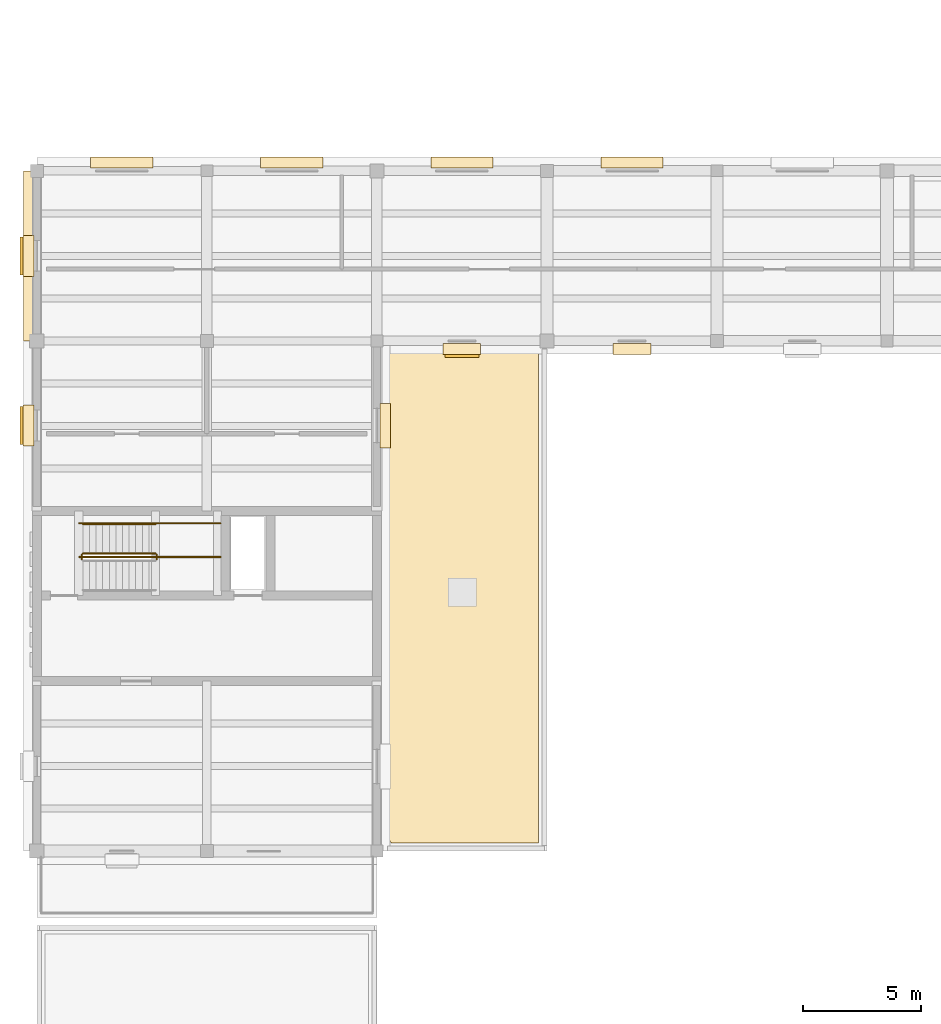
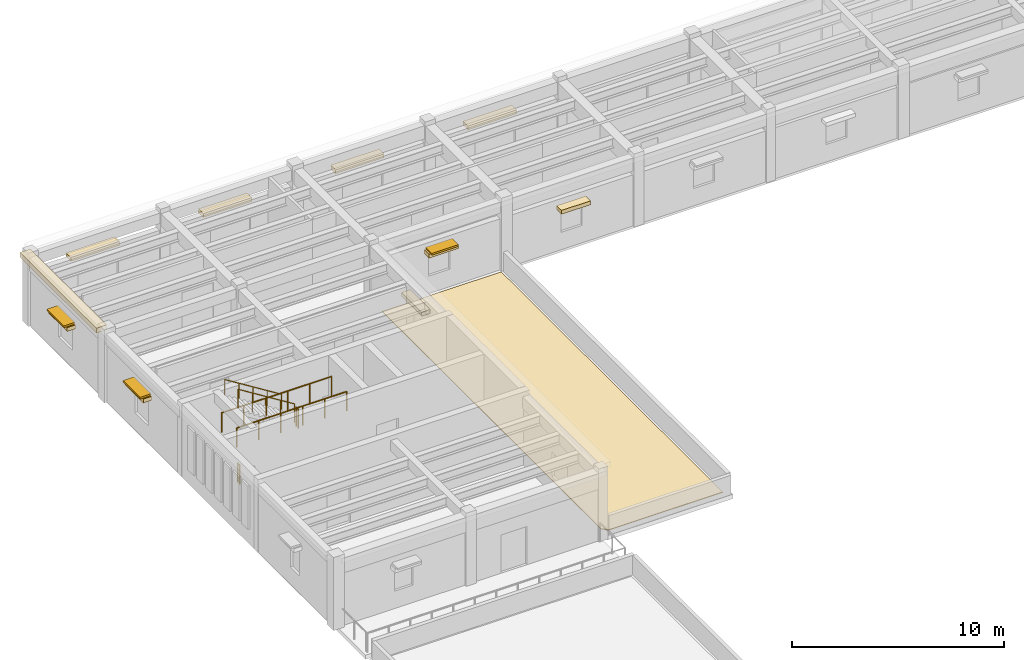
# One storey, part 24 of 27: 11 coverings, 6 railings, 3 shading devices.
"""IFC4 building model written with IfcOpenShell, lengths in metres."""

from ifc_helpers import new_model, si_unit, direction, frame, origin, origin_2d, place, context, subcontext, project, spatial, polyline, rectangle, circle, outline, extrude, material, layer, layer_set, type_object, element, save


model = new_model("IFC4")

# Units and contexts
model_context = context("Model", 3, precision=1e-05, world=origin(), true_north=direction((0.0, 1.0)))
body_context = subcontext(model_context, "Body", "Model", "MODEL_VIEW")
ifc_project = project(units=[si_unit("LENGTHUNIT", "METRE"), si_unit("AREAUNIT", "SQUARE_METRE"), si_unit("VOLUMEUNIT", "CUBIC_METRE"), si_unit("PLANEANGLEUNIT", "RADIAN"), si_unit("MASSUNIT", "GRAM", prefix="KILO")], contexts=[model_context])

# Site, building, storey
site_placement = place(None, origin())
site = spatial("IfcSite", under=ifc_project, at=site_placement, CompositionType="ELEMENT")
building_placement = place(site_placement, origin())
building = spatial("IfcBuilding", under=site, at=building_placement, Name="Mithqara Police Headquarters", CompositionType="ELEMENT")
storey_placement = place(building_placement, frame((0.0, 0.0, 18.0)))
storey = spatial("IfcBuildingStorey", under=building, at=storey_placement, Name="L04", CompositionType="ELEMENT", Elevation=18.0)

# Covering
ifc_material_1 = material(Name="Limestone ashlar masonry, 45 MPa", Category="masonry")
ifc_layer_1 = layer(ifc_material_1, 0.320068359375, Name="Limestone ashlar masonry, 45 MPa")
ifc_layer_set_1 = layer_set([ifc_layer_1], Name="Limestone ashlar masonry, 45 MPa")
covering_type_1 = type_object("IfcCoveringType", Name="CORNICE LIMESTONE", PredefinedType="CLADDING", material=ifc_layer_set_1)
covering_1_placement = place(storey_placement, frame((7.52001953125, 82.199951171875, 3.919921875), z_axis=(0.0, 0.0, 1.0), x_axis=(0.0, 1.0, 0.0)))
element("IfcCovering", 1, at=covering_1_placement, inside=storey, type_object=covering_type_1, Name="L04 Projecting Ottoman Limestone Eaves Cornice 9", PredefinedType="CLADDING", context=body_context, shape_type="SweptSolid", body=[
    extrude(rectangle(XDim=7.199951171875, YDim=0.56005859375, at=origin_2d()), origin(), (0.0, 0.0, 1.0), 0.280029296875),
])

# Railing
ifc_material_2 = material(Name="Steel S355JR", Category="steel")
railing_type_1 = type_object("IfcRailingType", Name="HANDRAIL 920", PredefinedType="HANDRAIL", material=ifc_material_2)
railing_1_placement = place(storey_placement, frame((12.830078125, 70.85009765625, 2.27490234375)))
element("IfcRailing", 2, at=railing_1_placement, inside=storey, type_object=railing_type_1, Name="L04 ST-03 stair handrail 2", PredefinedType="HANDRAIL", context=body_context, shape_type="SweptSolid", body=[
    extrude(circle(Radius=0.02392578125, at=origin_2d()), frame((0.0, 0.0, 0.8759765625), z_axis=(-0.847998304005, 0.0, 0.529998940003), x_axis=(0.0, -1.0, 0.0)), (0.0, 0.0, 1.0), 3.632080078125),
    extrude(circle(Radius=0.02099609375, at=origin_2d()), origin(), (0.0, 0.0, 1.0), 0.851806640625),
    extrude(circle(Radius=0.02099609375, at=origin_2d()), frame((-0.77001953125, 0.0, 0.481201171875)), (0.0, 0.0, 1.0), 0.851806640625),
    extrude(circle(Radius=0.02099609375, at=origin_2d()), frame((-1.5400390625, 0.0, 0.96240234375)), (0.0, 0.0, 1.0), 0.851806640625),
    extrude(circle(Radius=0.02099609375, at=origin_2d()), frame((-2.31005859375, 0.0, 1.44384765625)), (0.0, 0.0, 1.0), 0.851806640625),
    extrude(circle(Radius=0.02099609375, at=origin_2d()), frame((-3.080078125, 0.0, 1.925048828125)), (0.0, 0.0, 1.0), 0.851806640625),
])

# Shading devices
ifc_material_3 = material(Name="Bronze anodised aluminium 6063-T6", Category="aluminium")
shading_device_type = type_object("IfcShadingDeviceType", Name="SOLAR LOUVRE BRONZE", PredefinedType="JALOUSIE", material=ifc_material_3)
for number, where, z_axis, x_axis, name in (
    (3, (7.389892578125, 82.199951171875, 2.58984375), (0.0, 0.0, 1.0), (0.0, 1.0, 0.0), "L04 Window Solar Louvre Hood 9.1"),
    (4, (7.389892578125, 75.014892578125, 2.83984375), (0.0, 0.0, 1.0), (0.0, 1.0, 0.0), "L04 Window Solar Louvre Hood 10.1"),
):
    element("IfcShadingDevice", number, at=place(storey_placement, frame(where, z_axis=z_axis, x_axis=x_axis)), inside=storey, type_object=shading_device_type, Name=name, PredefinedType="JALOUSIE", context=body_context, shape_type="SweptSolid", body=[
        extrude(rectangle(XDim=1.60009765625, YDim=0.60009765625, at=origin_2d()), origin(), (0.0, 0.0, 1.0), 0.10009765625),
    ])
shading_device_placement = place(storey_placement, frame((25.800048828125, 78.18994140625, 2.58984375), z_axis=(0.0, 0.0, 1.0), x_axis=(1.0, 0.0, 0.0)))
element("IfcShadingDevice", 5, at=shading_device_placement, inside=storey, type_object=shading_device_type, Name="L04 Window Solar Louvre Hood 13.1", PredefinedType="JALOUSIE", context=body_context, shape_type="SweptSolid", body=[
    extrude(rectangle(XDim=1.449951171875, YDim=0.60009765625, at=origin_2d()), origin(), (0.0, 0.0, 1.0), 0.10009765625),
])

# Railings
railing_type_2 = type_object("IfcRailingType", Name="STAIR GUARD 1120", PredefinedType="GUARDRAIL", material=ifc_material_2)
railing_2_placement = place(storey_placement, frame((12.8798828125, 69.35009765625, 2.10009765625)))
element("IfcRailing", 6, at=railing_2_placement, inside=storey, type_object=railing_type_2, Name="L04 ST-03 stair guard 2", PredefinedType="GUARDRAIL", context=body_context, shape_type="SweptSolid", body=[
    extrude(circle(Radius=0.02392578125, at=origin_2d()), frame((0.0, 0.0, 1.076171875), z_axis=(0.0, 1.0, 0.0), x_axis=(-1.0, 0.0, 0.0)), (0.0, 0.0, 1.0), 0.199951171875),
    extrude(circle(Radius=0.02099609375, at=origin_2d()), origin(), (0.0, 0.0, 1.0), 1.052001953125),
    extrude(circle(Radius=0.02099609375, at=origin_2d()), frame((0.0, 0.199951171875, 0.0)), (0.0, 0.0, 1.0), 1.052001953125),
])
railing_3_placement = place(storey_placement, frame((12.830078125, 69.60009765625, 2.27490234375)))
element("IfcRailing", 7, at=railing_3_placement, inside=storey, type_object=railing_type_2, Name="L04 ST-03 stair guard 3", PredefinedType="GUARDRAIL", context=body_context, shape_type="SweptSolid", body=[
    extrude(circle(Radius=0.02392578125, at=origin_2d()), frame((0.0, 0.0, 1.076171875), z_axis=(-0.847998304005, 0.0, 0.529998940003), x_axis=(0.0, -1.0, 0.0)), (0.0, 0.0, 1.0), 3.632080078125),
    extrude(circle(Radius=0.02099609375, at=origin_2d()), origin(), (0.0, 0.0, 1.0), 1.052001953125),
    extrude(circle(Radius=0.02099609375, at=origin_2d()), frame((-0.77001953125, 0.0, 0.481201171875)), (0.0, 0.0, 1.0), 1.052001953125),
    extrude(circle(Radius=0.02099609375, at=origin_2d()), frame((-1.5400390625, 0.0, 0.96240234375)), (0.0, 0.0, 1.0), 1.052001953125),
    extrude(circle(Radius=0.02099609375, at=origin_2d()), frame((-2.31005859375, 0.0, 1.44384765625)), (0.0, 0.0, 1.0), 1.052001953125),
    extrude(circle(Radius=0.02099609375, at=origin_2d()), frame((-3.080078125, 0.0, 1.925048828125)), (0.0, 0.0, 1.0), 1.052001953125),
])
railing_4_placement = place(storey_placement, frame((9.699951171875, 69.35009765625, 0.0)))
element("IfcRailing", 8, at=railing_4_placement, inside=storey, type_object=railing_type_2, Name="L04 ST-03 stair guard 4", PredefinedType="GUARDRAIL", context=body_context, shape_type="SweptSolid", body=[
    extrude(circle(Radius=0.02392578125, at=origin_2d()), frame((0.0, 0.0, 1.076171875), z_axis=(0.0, 1.0, 0.0), x_axis=(-1.0, 0.0, 0.0)), (0.0, 0.0, 1.0), 0.199951171875),
    extrude(circle(Radius=0.02099609375, at=origin_2d()), origin(), (0.0, 0.0, 1.0), 1.052001953125),
    extrude(circle(Radius=0.02099609375, at=origin_2d()), frame((0.0, 0.199951171875, 0.0)), (0.0, 0.0, 1.0), 1.052001953125),
])
for number, where, name in (
    (9, (9.60009765625, 69.449951171875, 2.10009765625), "L04 ST-03 Half-Landing Guard IN"),
    (10, (9.60009765625, 70.8798828125, 2.10009765625), "L04 ST-03 Half-Landing Guard OUT"),
):
    element("IfcRailing", number, at=place(storey_placement, frame(where)), inside=storey, type_object=railing_type_2, Name=name, PredefinedType="GUARDRAIL", context=body_context, shape_type="SweptSolid", body=[
        extrude(circle(Radius=0.02392578125, at=origin_2d()), frame((0.0, 0.0, 1.09619140625), z_axis=(1.0, 0.0, 0.0), x_axis=(0.0, 1.0, 0.0)), (0.0, 0.0, 1.0), 5.97998046875),
        extrude(circle(Radius=0.02099609375, at=origin_2d()), origin(), (0.0, 0.0, 1.0), 1.072021484375),
        extrude(circle(Radius=0.02099609375, at=origin_2d()), frame((1.196044921875, 0.0, 0.0)), (0.0, 0.0, 1.0), 1.072021484375),
        extrude(circle(Radius=0.02099609375, at=origin_2d()), frame((2.39208984375, 0.0, 0.0)), (0.0, 0.0, 1.0), 1.072021484375),
        extrude(circle(Radius=0.02099609375, at=origin_2d()), frame((3.587890625, 0.0, 0.0)), (0.0, 0.0, 1.0), 1.072021484375),
        extrude(circle(Radius=0.02099609375, at=origin_2d()), frame((4.783935546875, 0.0, 0.0)), (0.0, 0.0, 1.0), 1.072021484375),
        extrude(circle(Radius=0.02099609375, at=origin_2d()), frame((5.97998046875, 0.0, 0.0)), (0.0, 0.0, 1.0), 1.072021484375),
    ])

# Coverings
ifc_material_4 = material(Name="Standing seam zinc-aluminium roofing", Category="aluminium")
ifc_layer_2 = layer(ifc_material_4, 0.0400390625, Name="Standing seam zinc-aluminium roofing")
ifc_layer_set_2 = layer_set([ifc_layer_2], Name="Standing seam zinc-aluminium roofing")
covering_type_2 = type_object("IfcCoveringType", Name="STANDING SEAM ROOFING", PredefinedType="ROOFING", material=ifc_layer_set_2)
covering_2_placement = place(storey_placement, origin())
element("IfcCovering", 11, at=covering_2_placement, inside=storey, type_object=covering_type_2, Name="L04 Insulated Roof Waterproofing ROOF-L03-02", PredefinedType="ROOFING", context=body_context, shape_type="SweptSolid", body=[
    extrude(outline(polyline([(22.570068359375, 57.59375), (22.570068359375, 78.22998046875), (29.050048828125, 78.22998046875), (29.050048828125, 57.35009765625), (22.805908203125, 57.35009765625), (22.791015625, 57.375), (22.7724609375, 57.40234375), (22.752197265625, 57.429931640625), (22.72998046875, 57.45703125), (22.706787109375, 57.482421875), (22.6826171875, 57.5068359375), (22.656982421875, 57.530029296875), (22.6298828125, 57.552001953125), (22.602294921875, 57.572509765625), (22.574951171875, 57.5908203125), (22.570068359375, 57.59375)])), origin(), (0.0, 0.0, 1.0), 0.0400390625),
])
ifc_layer_3 = layer(ifc_material_1, 0.239990234375, Name="Limestone ashlar masonry, 45 MPa")
ifc_layer_set_3 = layer_set([ifc_layer_3], Name="Limestone ashlar masonry, 45 MPa")
covering_type_3 = type_object("IfcCoveringType", Name="WINDOW HOOD LIMESTONE", PredefinedType="CLADDING", material=ifc_layer_set_3)
for number, where, z_axis, x_axis, name in (
    (12, (11.39990234375, 86.14990234375, 2.6201171875), (0.0, 0.0, 1.0), (1.0, 0.0, 0.0), "L04 Limestone Window Architrave Hood 8.1"),
    (13, (18.60009765625, 86.14990234375, 2.6201171875), (0.0, 0.0, 1.0), (1.0, 0.0, 0.0), "L04 Limestone Window Architrave Hood 8.2"),
    (14, (25.800048828125, 86.14990234375, 2.6201171875), (0.0, 0.0, 1.0), (1.0, 0.0, 0.0), "L04 Limestone Window Architrave Hood 8.3"),
    (15, (33.0, 86.14990234375, 2.6201171875), (0.0, 0.0, 1.0), (1.0, 0.0, 0.0), "L04 Limestone Window Architrave Hood 8.4"),
):
    element("IfcCovering", number, at=place(storey_placement, frame(where, z_axis=z_axis, x_axis=x_axis)), inside=storey, type_object=covering_type_3, Name=name, PredefinedType="CLADDING", context=body_context, shape_type="SweptSolid", body=[
        extrude(rectangle(XDim=2.639892578125, YDim=0.4599609375, at=origin_2d()), origin(), (0.0, 0.0, 1.0), 0.219970703125),
    ])
for number, where, z_axis, x_axis, name in (
    (16, (7.449951171875, 82.199951171875, 2.3701171875), (0.0, 0.0, 1.0), (0.0, 1.0, 0.0), "L04 Limestone Window Architrave Hood 9.1"),
    (17, (7.449951171875, 75.014892578125, 2.6201171875), (0.0, 0.0, 1.0), (0.0, 1.0, 0.0), "L04 Limestone Window Architrave Hood 10.1"),
):
    element("IfcCovering", number, at=place(storey_placement, frame(where, z_axis=z_axis, x_axis=x_axis)), inside=storey, type_object=covering_type_3, Name=name, PredefinedType="CLADDING", context=body_context, shape_type="SweptSolid", body=[
        extrude(rectangle(XDim=1.739990234375, YDim=0.4599609375, at=origin_2d()), origin(), (0.0, 0.0, 1.0), 0.219970703125),
    ])
covering_3_placement = place(storey_placement, frame((22.550048828125, 75.014892578125, 2.3701171875), z_axis=(0.0, 0.0, 1.0), x_axis=(0.0, 1.0, 0.0)))
element("IfcCovering", 18, at=covering_3_placement, inside=storey, type_object=covering_type_3, Name="L04 Limestone Window Architrave Hood 12.1", PredefinedType="CLADDING", context=body_context, shape_type="SweptSolid", body=[
    extrude(rectangle(XDim=1.889892578125, YDim=0.4599609375, at=origin_2d()), origin(), (0.0, 0.0, 1.0), 0.219970703125),
])
for number, where, z_axis, x_axis, name in (
    (19, (25.800048828125, 78.25, 2.3701171875), (0.0, 0.0, 1.0), (1.0, 0.0, 0.0), "L04 Limestone Window Architrave Hood 13.1"),
    (20, (33.0, 78.25, 2.3701171875), (0.0, 0.0, 1.0), (1.0, 0.0, 0.0), "L04 Limestone Window Architrave Hood 13.2"),
):
    element("IfcCovering", number, at=place(storey_placement, frame(where, z_axis=z_axis, x_axis=x_axis)), inside=storey, type_object=covering_type_3, Name=name, PredefinedType="CLADDING", context=body_context, shape_type="SweptSolid", body=[
        extrude(rectangle(XDim=1.590087890625, YDim=0.4599609375, at=origin_2d()), origin(), (0.0, 0.0, 1.0), 0.219970703125),
    ])

save(model, "model.ifc")
